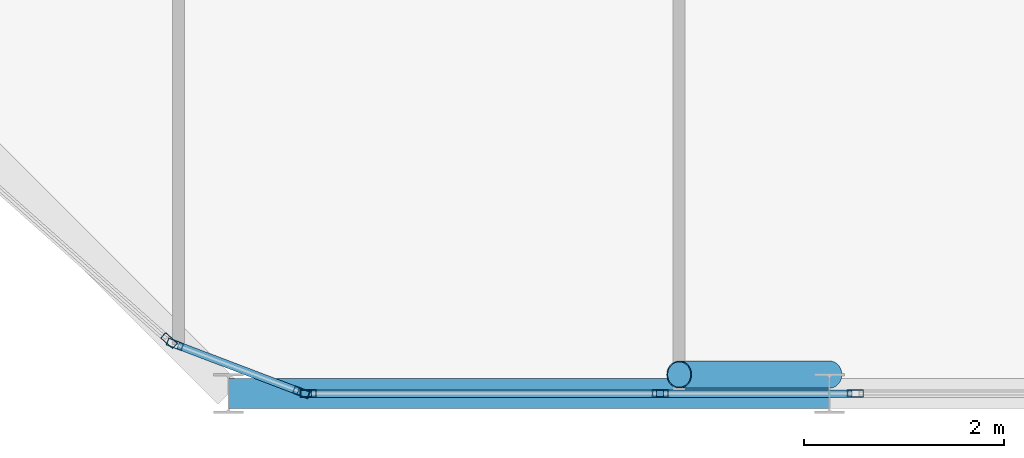
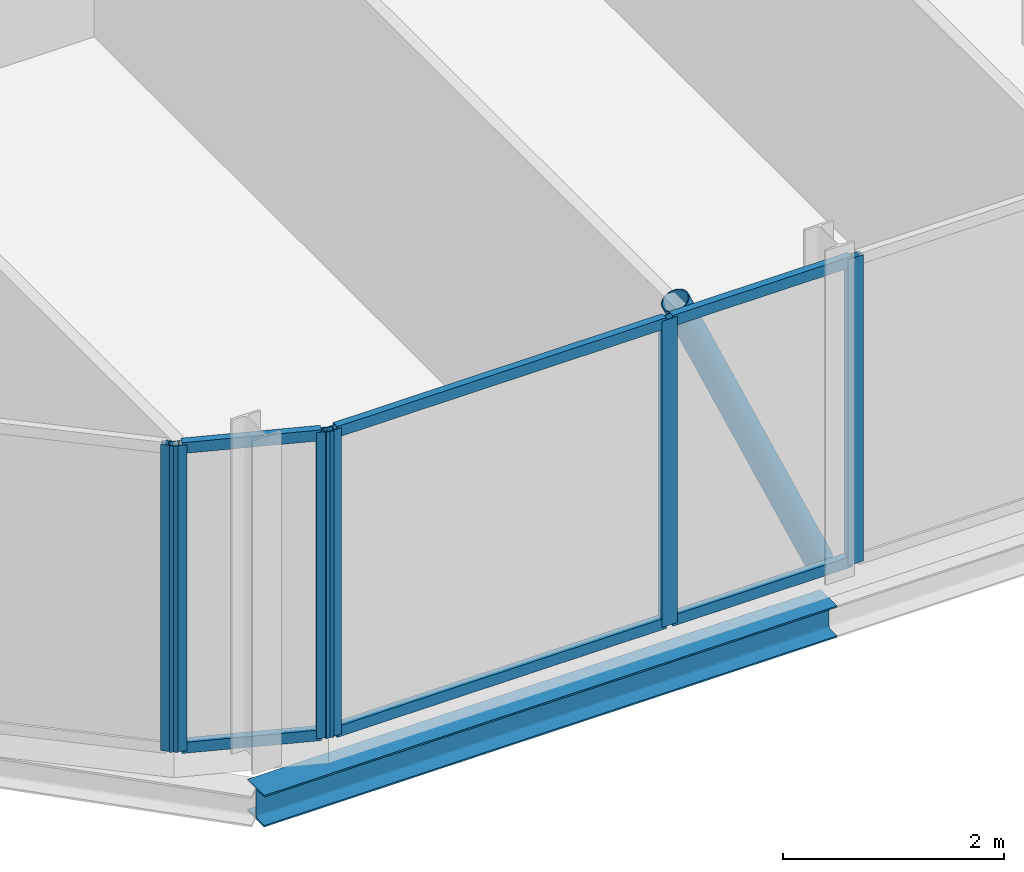
# One storey, part 6 of 27: 13 members, 1 beam, 5 elements without a shape of their own.
"""IFC4 building model written with IfcOpenShell, lengths in metres."""

from ifc_helpers import new_model, si_unit, direction, frame, origin, origin_2d, place, context, subcontext, project, spatial, hollow_rectangle, hollow_circle, i_section, extrude, material, layer, layer_set, material_profile, profile_set, type_object, element, aggregate, save


model = new_model("IFC4")

# Units and contexts
model_context = context("Model", 3, precision=1e-05, world=origin(), true_north=direction((0.0, 1.0)))
body_context = subcontext(model_context, "Body", "Model", "MODEL_VIEW")
ifc_project = project(units=[si_unit("LENGTHUNIT", "METRE"), si_unit("AREAUNIT", "SQUARE_METRE"), si_unit("VOLUMEUNIT", "CUBIC_METRE"), si_unit("PLANEANGLEUNIT", "RADIAN"), si_unit("MASSUNIT", "GRAM", prefix="KILO")], contexts=[model_context])

# Site, building, storey
site_placement = place(None, origin())
site = spatial("IfcSite", under=ifc_project, at=site_placement, CompositionType="ELEMENT")
building_placement = place(site_placement, origin())
building = spatial("IfcBuilding", under=site, at=building_placement, Name="Keshet Zoharim Tower", CompositionType="ELEMENT")
storey_placement = place(building_placement, frame((0.0, 0.0, 291.699951171875)))
storey = spatial("IfcBuildingStorey", under=building, at=storey_placement, Name="L73", CompositionType="ELEMENT", Elevation=291.699951171875)

# Beam
ifc_material_1 = material(Name="Steel S355", Category="steel")
ifc_material_profile_1 = material_profile(ifc_material_1, i_section(OverallWidth=0.300048828125, OverallDepth=0.35009765625, WebThickness=0.010009765625, FlangeThickness=0.017578125, FilletRadius=0.027099609375, at=origin_2d()), Name="HEA360")
ifc_profile_set_1 = profile_set([ifc_material_profile_1], Name="Steel S355")
beam_type = type_object("IfcBeamType", Name="BM-PRI-HA360", PredefinedType="BEAM", material=ifc_profile_set_1)
beam_placement = place(storey_placement, frame((21.0, 6.699951171875, -0.48486328125), z_axis=(1.0, 0.0, 0.0), x_axis=(0.0, 1.0, 0.0)))
element("IfcBeam", 1, at=beam_placement, inside=storey, type_object=beam_type, Name="L73 Primary Girder X-001", PredefinedType="BEAM", context=body_context, shape_type="SweptSolid", body=[
    extrude(i_section(OverallWidth=0.300048828125, OverallDepth=0.35009765625, WebThickness=0.010009765625, FlangeThickness=0.017578125, FilletRadius=0.027099609375, at=origin_2d()), origin(), (0.0, 0.0, 1.0), 6.0),
])

# Curtain wall, member
ifc_material_2 = material(Name="Aluminium 6063-T6", Category="aluminium")
ifc_layer = layer(ifc_material_2, 0.260009765625)
ifc_layer_set = layer_set([ifc_layer], Name="Aluminium 6063-T6")
curtain_wall_type = type_object("IfcCurtainWallType", Name="CW-SYS-06", PredefinedType="NOTDEFINED", material=ifc_layer_set)
curtain_wall_1_placement = place(storey_placement, origin())
curtain_wall_1 = element("IfcCurtainWall", 2, at=curtain_wall_1_placement, inside=storey, type_object=curtain_wall_type, Name="L73 Unitised Curtain Wall 14", PredefinedType="NOTDEFINED")
ifc_material_profile_2 = material_profile(ifc_material_2, hollow_rectangle(XDim=0.074951171875, YDim=0.159912109375, WallThickness=0.00390625, at=origin_2d()), Name="MUL-75x160")
ifc_profile_set_2 = profile_set([ifc_material_profile_2], Name="Aluminium 6063-T6")
member_type_1 = type_object("IfcMemberType", Name="CWM-M15", PredefinedType="MULLION", material=ifc_profile_set_2)
member_1_placement = place(storey_placement, frame((27.259765625, 6.699951171875, 0.0), z_axis=(0.0, 0.0, 1.0), x_axis=(0.0, -1.0, 0.0)))
member_1 = element("IfcMember", 3, at=member_1_placement, type_object=member_type_1, Name="CW-06 mullion 2", PredefinedType="MULLION", context=body_context, shape_type="SweptSolid", body=[
    extrude(hollow_rectangle(XDim=0.074951171875, YDim=0.159912109375, WallThickness=0.00390625, at=origin_2d()), origin(), (0.0, 0.0, 1.0), 3.39013671875),
])
aggregate(curtain_wall_1, [member_1])

curtain_wall_2_placement = place(storey_placement, origin())
curtain_wall_2 = element("IfcCurtainWall", 4, at=curtain_wall_2_placement, inside=storey, type_object=curtain_wall_type, Name="L73 Unitised Curtain Wall 14 Part 2", PredefinedType="NOTDEFINED")
member_2_placement = place(storey_placement, frame((25.310302734375, 6.699951171875, 0.0), z_axis=(0.0, 0.0, 1.0), x_axis=(0.0, -1.0, 0.0)))
member_2 = element("IfcMember", 5, at=member_2_placement, type_object=member_type_1, Name="CW-06 mullion 2", PredefinedType="MULLION", context=body_context, shape_type="SweptSolid", body=[
    extrude(hollow_rectangle(XDim=0.074951171875, YDim=0.159912109375, WallThickness=0.00390625, at=origin_2d()), origin(), (0.0, 0.0, 1.0), 3.39013671875),
])

curtain_wall_3_placement = place(storey_placement, origin())
curtain_wall_3 = element("IfcCurtainWall", 6, at=curtain_wall_3_placement, inside=storey, type_object=curtain_wall_type, Name="L73 Unitised Curtain Wall 14 Part 3", PredefinedType="NOTDEFINED")
member_3_placement = place(storey_placement, frame((21.794921875, 6.699951171875, 0.0), z_axis=(0.0, 0.0, 1.0), x_axis=(0.0, -1.0, 0.0)))
member_3 = element("IfcMember", 7, at=member_3_placement, type_object=member_type_1, Name="CW-06 mullion 2", PredefinedType="MULLION", context=body_context, shape_type="SweptSolid", body=[
    extrude(hollow_rectangle(XDim=0.074951171875, YDim=0.159912109375, WallThickness=0.00390625, at=origin_2d()), origin(), (0.0, 0.0, 1.0), 3.39013671875),
])

# Curtain wall, members
curtain_wall_4_placement = place(storey_placement, origin())
curtain_wall_4 = element("IfcCurtainWall", 8, at=curtain_wall_4_placement, inside=storey, type_object=curtain_wall_type, Name="L73 Unitised Curtain Wall 15", PredefinedType="NOTDEFINED")
member_4_placement = place(storey_placement, frame((21.727294921875, 6.71240234375, 0.0), z_axis=(0.0, 0.0, 1.0), x_axis=(-0.355439161326, -0.934699418314, 0.0)))
member_4 = element("IfcMember", 9, at=member_4_placement, type_object=member_type_1, Name="CW-06 mullion 1", PredefinedType="MULLION", context=body_context, shape_type="SweptSolid", body=[
    extrude(hollow_rectangle(XDim=0.074951171875, YDim=0.159912109375, WallThickness=0.00390625, at=origin_2d()), origin(), (0.0, 0.0, 1.0), 3.39013671875),
])
member_5_placement = place(storey_placement, frame((20.464599609375, 7.192626953125, 0.0), z_axis=(0.0, 0.0, 1.0), x_axis=(-0.355439161326, -0.934699418314, 0.0)))
member_5 = element("IfcMember", 10, at=member_5_placement, type_object=member_type_1, Name="CW-06 mullion 2", PredefinedType="MULLION", context=body_context, shape_type="SweptSolid", body=[
    extrude(hollow_rectangle(XDim=0.074951171875, YDim=0.159912109375, WallThickness=0.00390625, at=origin_2d()), origin(), (0.0, 0.0, 1.0), 3.39013671875),
])

# Curtain wall, member
curtain_wall_5_placement = place(storey_placement, origin())
curtain_wall_5 = element("IfcCurtainWall", 11, at=curtain_wall_5_placement, inside=storey, type_object=curtain_wall_type, Name="L73 Unitised Curtain Wall 16", PredefinedType="NOTDEFINED")
member_6_placement = place(storey_placement, frame((20.40576171875, 7.228271484375, 0.0), z_axis=(0.0, 0.0, 1.0), x_axis=(-0.664362180559, -0.747410792699, 0.0)))
member_6 = element("IfcMember", 12, at=member_6_placement, type_object=member_type_1, Name="CW-06 mullion 1", PredefinedType="MULLION", context=body_context, shape_type="SweptSolid", body=[
    extrude(hollow_rectangle(XDim=0.074951171875, YDim=0.159912109375, WallThickness=0.00390625, at=origin_2d()), origin(), (0.0, 0.0, 1.0), 3.39013671875),
])
aggregate(curtain_wall_5, [member_6])

# Member
ifc_material_profile_3 = material_profile(ifc_material_2, hollow_rectangle(XDim=0.074951171875, YDim=0.1201171875, WallThickness=0.00390625, at=origin_2d()), Name="TRN-75x120")
ifc_profile_set_3 = profile_set([ifc_material_profile_3], Name="Aluminium 6063-T6")
member_type_2 = type_object("IfcMemberType", Name="CWT-T12", PredefinedType="USERDEFINED", material=ifc_profile_set_3)
member_7_placement = place(storey_placement, frame((27.224853515625, 6.699951171875, 0.03515625), z_axis=(-1.0, 0.0, 0.0), x_axis=(0.0, -1.0, 0.0)))
member_7 = element("IfcMember", 13, at=member_7_placement, type_object=member_type_2, Name="CW-06 transom 1.1", ObjectType="TRANSOM", PredefinedType="USERDEFINED", context=body_context, shape_type="SweptSolid", body=[
    extrude(hollow_rectangle(XDim=0.074951171875, YDim=0.1201171875, WallThickness=0.00390625, at=origin_2d()), origin(), (0.0, 0.0, 1.0), 1.879638671875),
])

member_8_placement = place(storey_placement, frame((27.224853515625, 6.699951171875, 3.35498046875), z_axis=(-1.0, 0.0, 0.0), x_axis=(0.0, -1.0, 0.0)))
member_8 = element("IfcMember", 14, at=member_8_placement, type_object=member_type_2, Name="CW-06 transom 1.2", ObjectType="TRANSOM", PredefinedType="USERDEFINED", context=body_context, shape_type="SweptSolid", body=[
    extrude(hollow_rectangle(XDim=0.074951171875, YDim=0.1201171875, WallThickness=0.00390625, at=origin_2d()), origin(), (0.0, 0.0, 1.0), 1.879638671875),
])

aggregate(curtain_wall_2, [member_2, member_7, member_8])

member_9_placement = place(storey_placement, frame((25.275146484375, 6.699951171875, 0.03515625), z_axis=(-1.0, 0.0, 0.0), x_axis=(0.0, -1.0, 0.0)))
member_9 = element("IfcMember", 15, at=member_9_placement, type_object=member_type_2, Name="CW-06 transom 1.1", ObjectType="TRANSOM", PredefinedType="USERDEFINED", context=body_context, shape_type="SweptSolid", body=[
    extrude(hollow_rectangle(XDim=0.074951171875, YDim=0.1201171875, WallThickness=0.00390625, at=origin_2d()), origin(), (0.0, 0.0, 1.0), 3.445068359375),
])

member_10_placement = place(storey_placement, frame((25.275146484375, 6.699951171875, 3.35498046875), z_axis=(-1.0, 0.0, 0.0), x_axis=(0.0, -1.0, 0.0)))
member_10 = element("IfcMember", 16, at=member_10_placement, type_object=member_type_2, Name="CW-06 transom 1.2", ObjectType="TRANSOM", PredefinedType="USERDEFINED", context=body_context, shape_type="SweptSolid", body=[
    extrude(hollow_rectangle(XDim=0.074951171875, YDim=0.1201171875, WallThickness=0.00390625, at=origin_2d()), origin(), (0.0, 0.0, 1.0), 3.445068359375),
])

aggregate(curtain_wall_3, [member_3, member_9, member_10])

member_11_placement = place(storey_placement, frame((21.694580078125, 6.724853515625, 0.03515625), z_axis=(-0.934689881536, 0.355464239206, 0.0), x_axis=(-0.355464239206, -0.934689881536, 0.0)))
member_11 = element("IfcMember", 17, at=member_11_placement, type_object=member_type_2, Name="CW-06 transom 1.1", ObjectType="TRANSOM", PredefinedType="USERDEFINED", context=body_context, shape_type="SweptSolid", body=[
    extrude(hollow_rectangle(XDim=0.074951171875, YDim=0.1201171875, WallThickness=0.00390625, at=origin_2d()), origin(), (0.0, 0.0, 1.0), 1.281005859375),
])

member_12_placement = place(storey_placement, frame((21.694580078125, 6.724853515625, 3.35498046875), z_axis=(-0.934689881536, 0.355464239206, 0.0), x_axis=(-0.355464239206, -0.934689881536, 0.0)))
member_12 = element("IfcMember", 18, at=member_12_placement, type_object=member_type_2, Name="CW-06 transom 1.2", ObjectType="TRANSOM", PredefinedType="USERDEFINED", context=body_context, shape_type="SweptSolid", body=[
    extrude(hollow_rectangle(XDim=0.074951171875, YDim=0.1201171875, WallThickness=0.00390625, at=origin_2d()), origin(), (0.0, 0.0, 1.0), 1.281005859375),
])

aggregate(curtain_wall_4, [member_4, member_5, member_11, member_12])

ifc_material_profile_4 = material_profile(ifc_material_1, hollow_circle(Radius=0.136474609375, WallThickness=0.010009765625, at=origin_2d()), Name="CHS273x10")
ifc_profile_set_4 = profile_set([ifc_material_profile_4], Name="Steel S355")
member_type_3 = type_object("IfcMemberType", Name="MB-BR-C273", PredefinedType="BRACE", material=ifc_profile_set_4)
member_13_placement = place(storey_placement, frame((27.0, 6.889892578125, 0.0), z_axis=(-0.404622528463, 0.0, 0.914483793984), x_axis=(0.0, -1.0, 0.0)))
element("IfcMember", 19, at=member_13_placement, inside=storey, type_object=member_type_3, Name="L73 Perimeter Tube Brace 02", PredefinedType="BRACE", context=body_context, shape_type="SweptSolid", body=[
    extrude(hollow_circle(Radius=0.136474609375, WallThickness=0.010009765625, at=origin_2d()), origin(), (0.0, 0.0, 1.0), 3.707275390625),
])

save(model, "model.ifc")
